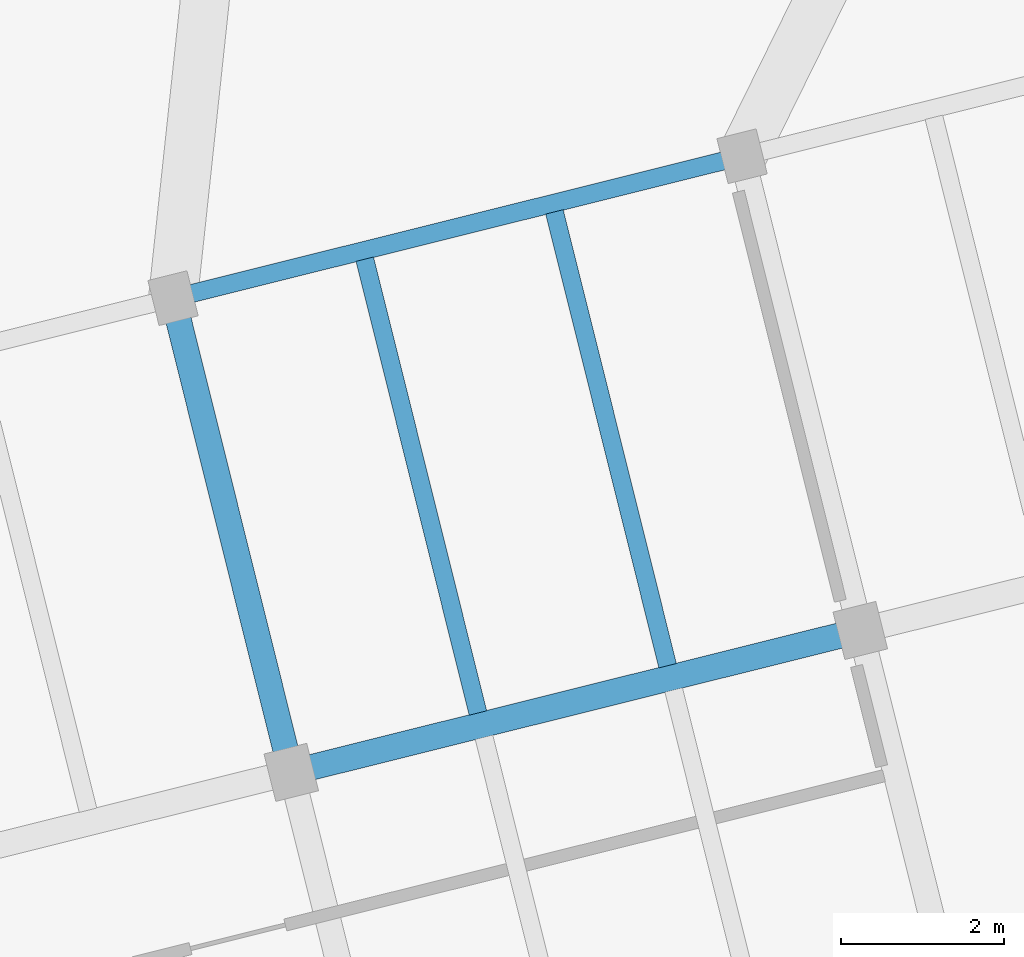
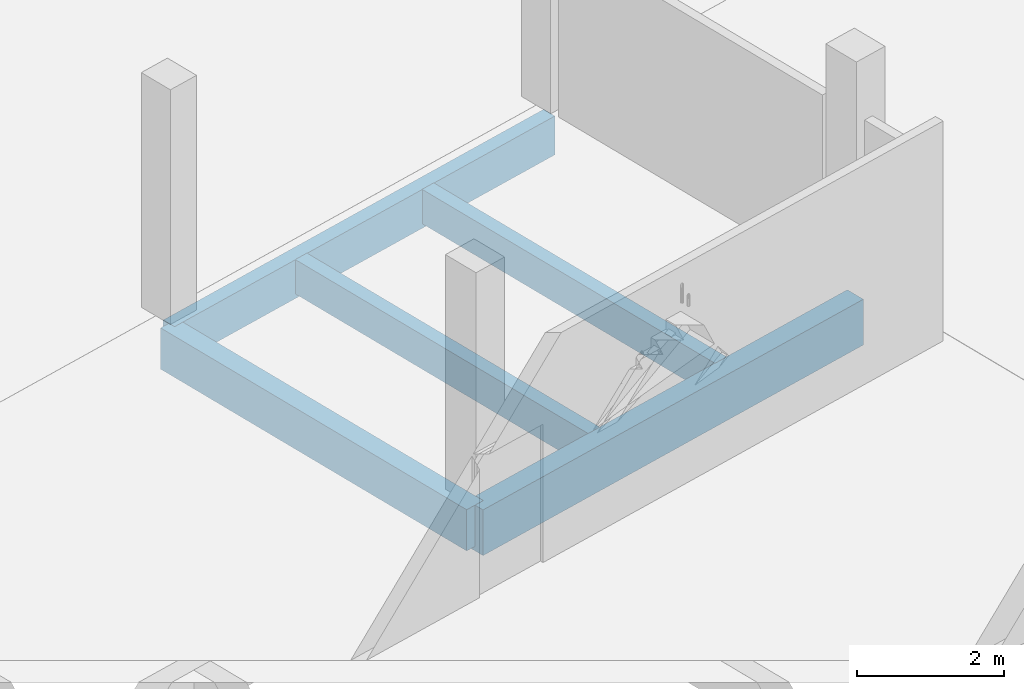
# One storey, part 32 of 62: 5 beams.
"""IFC4 building model written with IfcOpenShell, lengths in metres."""

from ifc_helpers import new_model, si_unit, direction, frame, origin, origin_2d, place, context, subcontext, project, spatial, rectangle, extrude, material, material_profile, profile_set, type_object, element, save


model = new_model("IFC4")

# Units and contexts
model_context = context("Model", 3, precision=1e-05, world=origin(), true_north=direction((0.0, 1.0)))
body_context = subcontext(model_context, "Body", "Model", "MODEL_VIEW")
ifc_project = project(units=[si_unit("LENGTHUNIT", "METRE"), si_unit("AREAUNIT", "SQUARE_METRE"), si_unit("VOLUMEUNIT", "CUBIC_METRE"), si_unit("PLANEANGLEUNIT", "RADIAN"), si_unit("MASSUNIT", "GRAM", prefix="KILO")], contexts=[model_context])

# Site, building, storey
site_placement = place(None, origin())
site = spatial("IfcSite", under=ifc_project, at=site_placement, CompositionType="ELEMENT")
building_placement = place(site_placement, origin())
building = spatial("IfcBuilding", under=site, at=building_placement, Name="Meriwether Solvik Hall", CompositionType="ELEMENT")
storey_placement = place(building_placement, frame((0.0, 0.0, 14.39990234375)))
storey = spatial("IfcBuildingStorey", under=building, at=storey_placement, Name="L03", CompositionType="ELEMENT", Elevation=14.39990234375)

# Beams
ifc_material_1 = material(Name="Glulam Douglas-Fir 24F-V8 GL28h", Category="wood")
ifc_material_profile_1 = material_profile(ifc_material_1, rectangle(XDim=0.221923828125, YDim=0.64501953125, at=origin_2d()), Name="GLB-222X645")
ifc_profile_set_1 = profile_set([ifc_material_profile_1], Name="Glulam Douglas-Fir 24F-V8 GL28h")
beam_type_1 = type_object("IfcBeamType", Name="BM-GL-222X645", PredefinedType="SPANDREL", material=ifc_profile_set_1)
beam_1_placement = place(storey_placement, frame((67.7490234375, 76.028564453125, -0.5673828125), z_axis=(0.970291911955, 0.241937193493, 0.0), x_axis=(-0.241937193493, 0.970291911955, 0.0)))
element("IfcBeam", 1, at=beam_1_placement, inside=storey, type_object=beam_type_1, Name="Tower Girder TF:T2-T3 (L03)", PredefinedType="SPANDREL", context=body_context, shape_type="SweptSolid", body=[
    extrude(rectangle(XDim=0.221923828125, YDim=0.64501953125, at=origin_2d()), origin(), (0.0, 0.0, 1.0), 7.199951171875),
])
ifc_material_2 = material(Name="Glulam Douglas-Fir 24F-V8 GL28h", Category="wood")
ifc_material_profile_2 = material_profile(ifc_material_2, rectangle(XDim=0.31494140625, YDim=0.68505859375, at=origin_2d()), Name="GLB-315X685")
ifc_profile_set_2 = profile_set([ifc_material_profile_2], Name="Glulam Douglas-Fir 24F-V8 GL28h")
beam_type_2 = type_object("IfcBeamType", Name="BM-GL-315X685", PredefinedType="BEAM", material=ifc_profile_set_2)
beam_2_placement = place(storey_placement, frame((69.200439453125, 70.206787109375, -0.58740234375), z_axis=(-0.241903677572, 0.970300268359, 0.0), x_axis=(-0.970300268359, -0.241903677572, 0.0)))
element("IfcBeam", 2, at=beam_2_placement, inside=storey, type_object=beam_type_2, Name="Tower Girder T2:TE-TF (L03)", PredefinedType="BEAM", context=body_context, shape_type="SweptSolid", body=[
    extrude(rectangle(XDim=0.31494140625, YDim=0.68505859375, at=origin_2d()), origin(), (0.0, 0.0, 1.0), 6.0),
])
ifc_material_3 = material(Name="Glulam Douglas-Fir 24F-V8 GL28h", Category="wood")
ifc_material_profile_3 = material_profile(ifc_material_3, rectangle(XDim=0.31494140625, YDim=0.760009765625, at=origin_2d()), Name="GLB-315X760")
ifc_profile_set_3 = profile_set([ifc_material_profile_3], Name="Glulam Douglas-Fir 24F-V8 GL28h")
beam_type_3 = type_object("IfcBeamType", Name="BM-GL-315X760", PredefinedType="BEAM", material=ifc_profile_set_3)
beam_3_placement = place(storey_placement, frame((69.200439453125, 70.206787109375, -0.625), z_axis=(0.970291911955, 0.241937193493, 0.0), x_axis=(-0.241937193493, 0.970291911955, 0.0)))
element("IfcBeam", 3, at=beam_3_placement, inside=storey, type_object=beam_type_3, Name="Tower Girder TE:T2-T3 (L03)", PredefinedType="BEAM", context=body_context, shape_type="SweptSolid", body=[
    extrude(rectangle(XDim=0.31494140625, YDim=0.760009765625, at=origin_2d()), origin(), (0.0, 0.0, 1.0), 7.199951171875),
])
ifc_material_4 = material(Name="Glulam Douglas-Fir 24F-V8 GL28h", Category="wood")
ifc_material_profile_4 = material_profile(ifc_material_4, rectangle(XDim=0.221923828125, YDim=0.570068359375, at=origin_2d()), Name="GLJ-222X570")
ifc_profile_set_4 = profile_set([ifc_material_profile_4], Name="Glulam Douglas-Fir 24F-V8 GL28h")
beam_type_4 = type_object("IfcBeamType", Name="JST-GL-222X570", PredefinedType="JOIST", material=ifc_profile_set_4)
for number, where, z_axis, x_axis, name in (
    (4, (71.4921875, 70.935546875, -0.52978515625), (-0.241915235082, 0.970297386905, 0.0), (-0.970297386905, -0.241915235082, 0.0), "Glulam Floor Joist T2/TE-J1 (L03)"),
    (5, (73.821044921875, 71.51611328125, -0.52978515625), (-0.241955269204, 0.970287404692, 0.0), (-0.970287404692, -0.241955269204, 0.0), "Glulam Floor Joist T2/TE-J2 (L03)"),
):
    element("IfcBeam", number, at=place(storey_placement, frame(where, z_axis=z_axis, x_axis=x_axis)), inside=storey, type_object=beam_type_4, Name=name, PredefinedType="JOIST", context=body_context, shape_type="SweptSolid", body=[
        extrude(rectangle(XDim=0.221923828125, YDim=0.570068359375, at=origin_2d()), origin(), (0.0, 0.0, 1.0), 5.741455078125),
    ])

save(model, "model.ifc")
